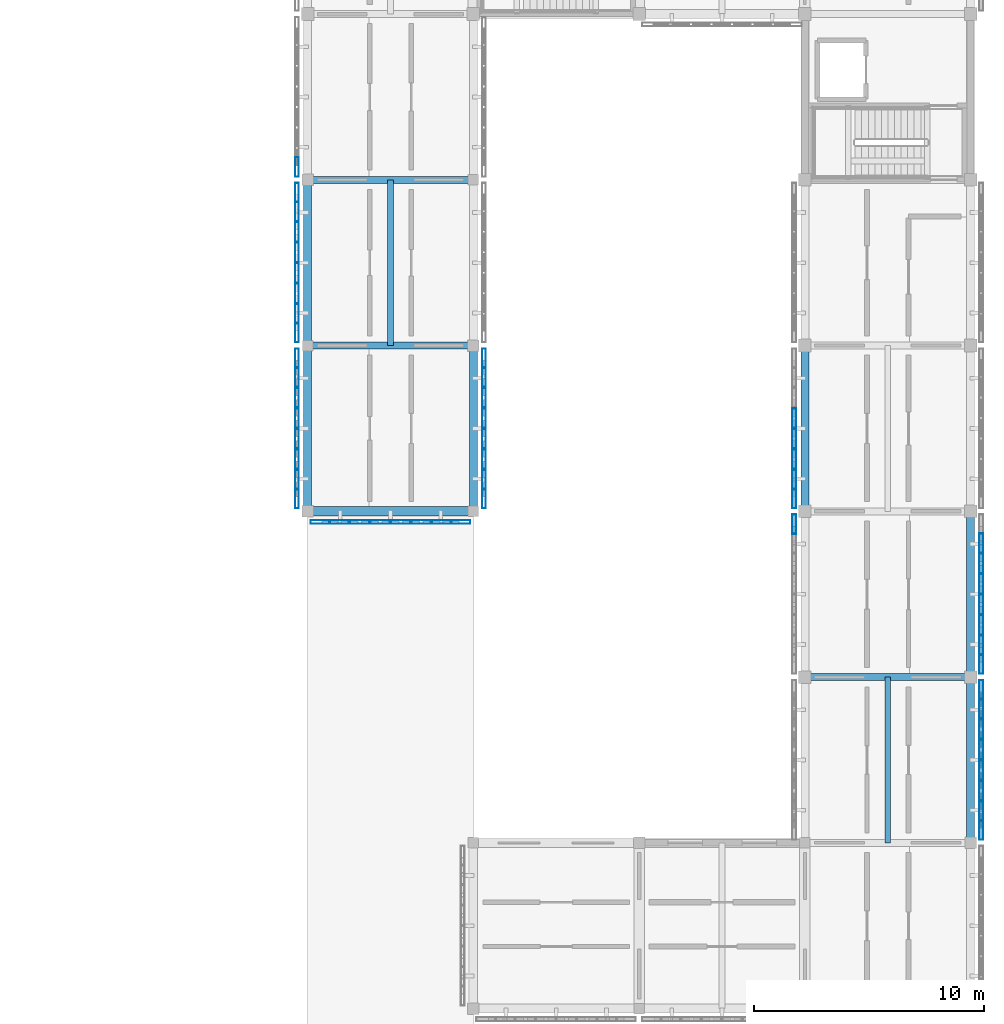
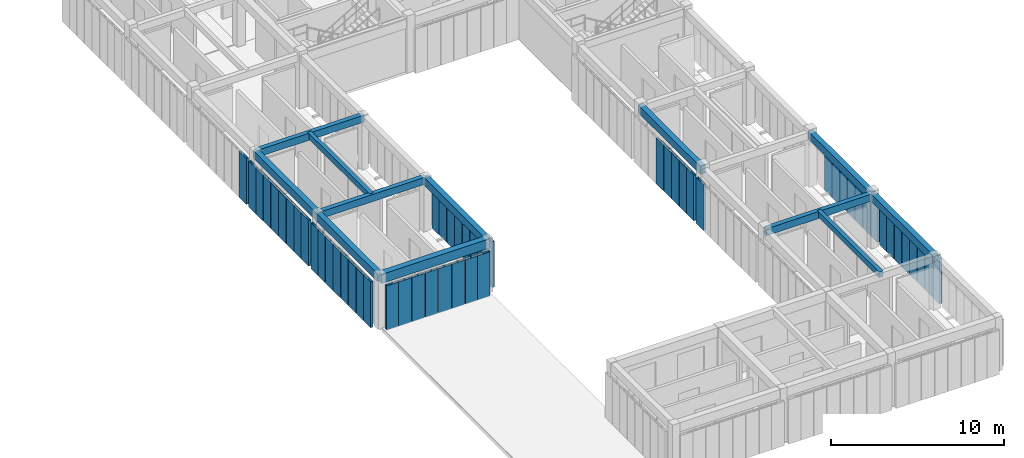
# One storey, part 10 of 67: 54 members, 12 beams, 9 elements without a shape of their own.
"""IFC4 building model written with IfcOpenShell, lengths in metres."""

from ifc_helpers import new_model, si_unit, direction, frame, origin, origin_2d, place, context, subcontext, project, spatial, rectangle, hollow_rectangle, extrude, material, material_profile, profile_set, type_object, element, aggregate, save


model = new_model("IFC4")

# Units and contexts
model_context = context("Model", 3, precision=1e-05, world=origin(), true_north=direction((0.0, 1.0)))
body_context = subcontext(model_context, "Body", "Model", "MODEL_VIEW")
ifc_project = project(units=[si_unit("LENGTHUNIT", "METRE"), si_unit("AREAUNIT", "SQUARE_METRE"), si_unit("VOLUMEUNIT", "CUBIC_METRE"), si_unit("PLANEANGLEUNIT", "RADIAN"), si_unit("MASSUNIT", "GRAM", prefix="KILO")], contexts=[model_context])

# Site, building, storey
site_placement = place(None, origin())
site = spatial("IfcSite", under=ifc_project, at=site_placement, CompositionType="ELEMENT")
building_placement = place(site_placement, origin())
building = spatial("IfcBuilding", under=site, at=building_placement, Name="Aldebral Square Health Centre", CompositionType="ELEMENT")
storey_placement = place(building_placement, frame((0.0, 0.0, 13.5)))
storey = spatial("IfcBuildingStorey", under=building, at=storey_placement, Name="L03", CompositionType="ELEMENT", Elevation=13.5)

# Beams
ifc_material_1 = material(Name="Concrete C40/50", Category="concrete")
ifc_material_profile_1 = material_profile(ifc_material_1, rectangle(XDim=0.39990234375, YDim=0.64990234375, at=origin_2d()), Name="RC 400x650")
ifc_profile_set_1 = profile_set([ifc_material_profile_1], Name="Concrete C40/50")
beam_type_1 = type_object("IfcBeamType", Name="BM-B1", PredefinedType="BEAM", material=ifc_profile_set_1)
beam_1_placement = place(storey_placement, frame((136.800048828125, 79.199951171875, 3.465087890625), z_axis=(1.0, 0.0, 0.0), x_axis=(0.0, 1.0, 0.0)))
element("IfcBeam", 1, at=beam_1_placement, inside=storey, type_object=beam_type_1, Name="L03 X-beam 20-21/G12", PredefinedType="BEAM", context=body_context, shape_type="SweptSolid", body=[
    extrude(rectangle(XDim=0.39990234375, YDim=0.64990234375, at=origin_2d()), origin(), (0.0, 0.0, 1.0), 7.199951171875),
])
ifc_material_profile_2 = material_profile(ifc_material_1, rectangle(XDim=0.35009765625, YDim=0.550048828125, at=origin_2d()), Name="RC 350x550")
ifc_profile_set_2 = profile_set([ifc_material_profile_2], Name="Concrete C40/50")
beam_type_2 = type_object("IfcBeamType", Name="BM-B3", PredefinedType="BEAM", material=ifc_profile_set_2)
beam_2_placement = place(storey_placement, frame((136.800048828125, 79.199951171875, 3.514892578125), z_axis=(0.0, 1.0, 0.0), x_axis=(-1.0, 0.0, 0.0)))
element("IfcBeam", 2, at=beam_2_placement, inside=storey, type_object=beam_type_2, Name="L03 Y-beam G20/12-13", PredefinedType="BEAM", context=body_context, shape_type="SweptSolid", body=[
    extrude(rectangle(XDim=0.35009765625, YDim=0.550048828125, at=origin_2d()), origin(), (0.0, 0.0, 1.0), 7.199951171875),
])
beam_3_placement = place(storey_placement, frame((136.800048828125, 86.39990234375, 3.514892578125), z_axis=(0.0, 1.0, 0.0), x_axis=(-1.0, 0.0, 0.0)))
element("IfcBeam", 3, at=beam_3_placement, inside=storey, type_object=beam_type_2, Name="L03 Y-beam G20/13-14", PredefinedType="BEAM", context=body_context, shape_type="SweptSolid", body=[
    extrude(rectangle(XDim=0.35009765625, YDim=0.550048828125, at=origin_2d()), origin(), (0.0, 0.0, 1.0), 7.2001953125),
])
for number, where, z_axis, x_axis, name in (
    (4, (144.0, 79.199951171875, 3.514892578125), (0.0, 1.0, 0.0), (-1.0, 0.0, 0.0), "L03 Y-beam G21/12-13"),
    (5, (158.39990234375, 79.199951171875, 3.514892578125), (0.0, 1.0, 0.0), (-1.0, 0.0, 0.0), "L03 Y-beam G23/12-13"),
    (6, (165.60009765625, 64.800048828125, 3.514892578125), (0.0, 1.0, 0.0), (-1.0, 0.0, 0.0), "L03 Y-beam G24/10-11"),
    (7, (165.60009765625, 72.0, 3.514892578125), (0.0, 1.0, 0.0), (-1.0, 0.0, 0.0), "L03 Y-beam G24/11-12"),
):
    element("IfcBeam", number, at=place(storey_placement, frame(where, z_axis=z_axis, x_axis=x_axis)), inside=storey, type_object=beam_type_2, Name=name, PredefinedType="BEAM", context=body_context, shape_type="SweptSolid", body=[
        extrude(rectangle(XDim=0.35009765625, YDim=0.550048828125, at=origin_2d()), origin(), (0.0, 0.0, 1.0), 7.199951171875),
    ])
ifc_material_profile_3 = material_profile(ifc_material_1, rectangle(XDim=0.300048828125, YDim=0.5, at=origin_2d()), Name="RC 300x500")
ifc_profile_set_3 = profile_set([ifc_material_profile_3], Name="Concrete C40/50")
beam_type_3 = type_object("IfcBeamType", Name="BM-B4", PredefinedType="BEAM", material=ifc_profile_set_3)
for number, where, z_axis, x_axis, name in (
    (8, (136.800048828125, 86.39990234375, 3.5400390625), (1.0, 0.0, 0.0), (0.0, 1.0, 0.0), "L03 X-beam 20-21/G13"),
    (9, (136.800048828125, 93.60009765625, 3.5400390625), (1.0, 0.0, 0.0), (0.0, 1.0, 0.0), "L03 X-beam 20-21/G14"),
):
    element("IfcBeam", number, at=place(storey_placement, frame(where, z_axis=z_axis, x_axis=x_axis)), inside=storey, type_object=beam_type_3, Name=name, PredefinedType="BEAM", context=body_context, shape_type="SweptSolid", body=[
        extrude(rectangle(XDim=0.300048828125, YDim=0.5, at=origin_2d()), origin(), (0.0, 0.0, 1.0), 7.199951171875),
    ])
beam_4_placement = place(storey_placement, frame((158.39990234375, 72.0, 3.5400390625), z_axis=(1.0, 0.0, 0.0), x_axis=(0.0, 1.0, 0.0)))
element("IfcBeam", 10, at=beam_4_placement, inside=storey, type_object=beam_type_3, Name="L03 X-beam 23-24/G11", PredefinedType="BEAM", context=body_context, shape_type="SweptSolid", body=[
    extrude(rectangle(XDim=0.300048828125, YDim=0.5, at=origin_2d()), origin(), (0.0, 0.0, 1.0), 7.2001953125),
])
ifc_material_profile_4 = material_profile(ifc_material_1, rectangle(XDim=0.25, YDim=0.39990234375, at=origin_2d()), Name="RC 250x400")
ifc_profile_set_4 = profile_set([ifc_material_profile_4], Name="Concrete C40/50")
beam_type_4 = type_object("IfcBeamType", Name="BM-B6", PredefinedType="JOIST", material=ifc_profile_set_4)
beam_5_placement = place(storey_placement, frame((140.39990234375, 86.39990234375, 3.590087890625), z_axis=(0.0, 1.0, 0.0), x_axis=(-1.0, 0.0, 0.0)))
element("IfcBeam", 11, at=beam_5_placement, inside=storey, type_object=beam_type_4, Name="L03 secondary rib 20.13", PredefinedType="JOIST", context=body_context, shape_type="SweptSolid", body=[
    extrude(rectangle(XDim=0.25, YDim=0.39990234375, at=origin_2d()), origin(), (0.0, 0.0, 1.0), 7.2001953125),
])
beam_6_placement = place(storey_placement, frame((162.0, 64.800048828125, 3.590087890625), z_axis=(0.0, 1.0, 0.0), x_axis=(-1.0, 0.0, 0.0)))
element("IfcBeam", 12, at=beam_6_placement, inside=storey, type_object=beam_type_4, Name="L03 secondary rib 23.10", PredefinedType="JOIST", context=body_context, shape_type="SweptSolid", body=[
    extrude(rectangle(XDim=0.25, YDim=0.39990234375, at=origin_2d()), origin(), (0.0, 0.0, 1.0), 7.199951171875),
])

# Curtain wall, members
ifc_material_2 = material(Name="Aluminium and low-E solar glass", Category="aluminium")
curtain_wall_type = type_object("IfcCurtainWallType", Name="CW-FIN-SYS", PredefinedType="USERDEFINED", material=ifc_material_2)
curtain_wall_1_placement = place(storey_placement, origin())
curtain_wall_1 = element("IfcCurtainWall", 13, at=curtain_wall_1_placement, inside=storey, type_object=curtain_wall_type, Name="L03 V5 finned curtain wall L03-V5-19-11-S", ObjectType="SOLAR_CURTAIN_WALL", PredefinedType="USERDEFINED")
ifc_material_3 = material(Name="Sienna-terracotta clad aluminium fin", Category="masonry")
ifc_material_profile_5 = material_profile(ifc_material_3, hollow_rectangle(XDim=0.159912109375, YDim=0.85009765625, WallThickness=0.006103515625, at=origin_2d()), Name="FIN 160x850x6")
ifc_profile_set_5 = profile_set([ifc_material_profile_5], Name="Sienna-terracotta clad aluminium fin")
member_type = type_object("IfcMemberType", Name="CWM-FIN", PredefinedType="MULLION", material=ifc_profile_set_5)
member_1_placement = place(storey_placement, frame((137.360107421875, 78.739990234375, 0.0), z_axis=(0.0, 0.0, 1.0), x_axis=(0.0, 1.0, 0.0)))
member_1 = element("IfcMember", 14, at=member_1_placement, type_object=member_type, Name="CW1 mullion 1", PredefinedType="MULLION", context=body_context, shape_type="SweptSolid", body=[
    extrude(hollow_rectangle(XDim=0.159912109375, YDim=0.85009765625, WallThickness=0.006103515625, at=origin_2d()), origin(), (0.0, 0.0, 1.0), 3.139892578125),
])
member_2_placement = place(storey_placement, frame((138.17138671875, 78.739990234375, 0.0), z_axis=(0.0, 0.0, 1.0), x_axis=(0.0, 1.0, 0.0)))
member_2 = element("IfcMember", 15, at=member_2_placement, type_object=member_type, Name="CW1 mullion 2", PredefinedType="MULLION", context=body_context, shape_type="SweptSolid", body=[
    extrude(hollow_rectangle(XDim=0.159912109375, YDim=0.85009765625, WallThickness=0.006103515625, at=origin_2d()), origin(), (0.0, 0.0, 1.0), 3.139892578125),
])
member_3_placement = place(storey_placement, frame((139.062744140625, 78.739990234375, 0.0), z_axis=(0.0, 0.0, 1.0), x_axis=(0.0, 1.0, 0.0)))
member_3 = element("IfcMember", 16, at=member_3_placement, type_object=member_type, Name="CW1 mullion 3", PredefinedType="MULLION", context=body_context, shape_type="SweptSolid", body=[
    extrude(hollow_rectangle(XDim=0.159912109375, YDim=0.85009765625, WallThickness=0.006103515625, at=origin_2d()), origin(), (0.0, 0.0, 1.0), 3.139892578125),
])
member_4_placement = place(storey_placement, frame((139.954345703125, 78.739990234375, 0.0), z_axis=(0.0, 0.0, 1.0), x_axis=(0.0, 1.0, 0.0)))
member_4 = element("IfcMember", 17, at=member_4_placement, type_object=member_type, Name="CW1 mullion 4", PredefinedType="MULLION", context=body_context, shape_type="SweptSolid", body=[
    extrude(hollow_rectangle(XDim=0.159912109375, YDim=0.85009765625, WallThickness=0.006103515625, at=origin_2d()), origin(), (0.0, 0.0, 1.0), 3.139892578125),
])
member_5_placement = place(storey_placement, frame((140.845703125, 78.739990234375, 0.0), z_axis=(0.0, 0.0, 1.0), x_axis=(0.0, 1.0, 0.0)))
member_5 = element("IfcMember", 18, at=member_5_placement, type_object=member_type, Name="CW1 mullion 5", PredefinedType="MULLION", context=body_context, shape_type="SweptSolid", body=[
    extrude(hollow_rectangle(XDim=0.159912109375, YDim=0.85009765625, WallThickness=0.006103515625, at=origin_2d()), origin(), (0.0, 0.0, 1.0), 3.139892578125),
])
member_6_placement = place(storey_placement, frame((141.737060546875, 78.739990234375, 0.0), z_axis=(0.0, 0.0, 1.0), x_axis=(0.0, 1.0, 0.0)))
member_6 = element("IfcMember", 19, at=member_6_placement, type_object=member_type, Name="CW1 mullion 6", PredefinedType="MULLION", context=body_context, shape_type="SweptSolid", body=[
    extrude(hollow_rectangle(XDim=0.159912109375, YDim=0.85009765625, WallThickness=0.006103515625, at=origin_2d()), origin(), (0.0, 0.0, 1.0), 3.139892578125),
])
member_7_placement = place(storey_placement, frame((142.628662109375, 78.739990234375, 0.0), z_axis=(0.0, 0.0, 1.0), x_axis=(0.0, 1.0, 0.0)))
member_7 = element("IfcMember", 20, at=member_7_placement, type_object=member_type, Name="CW1 mullion 7", PredefinedType="MULLION", context=body_context, shape_type="SweptSolid", body=[
    extrude(hollow_rectangle(XDim=0.159912109375, YDim=0.85009765625, WallThickness=0.006103515625, at=origin_2d()), origin(), (0.0, 0.0, 1.0), 3.139892578125),
])
member_8_placement = place(storey_placement, frame((143.43994140625, 78.739990234375, 0.0), z_axis=(0.0, 0.0, 1.0), x_axis=(0.0, 1.0, 0.0)))
member_8 = element("IfcMember", 21, at=member_8_placement, type_object=member_type, Name="CW1 mullion 8", PredefinedType="MULLION", context=body_context, shape_type="SweptSolid", body=[
    extrude(hollow_rectangle(XDim=0.159912109375, YDim=0.85009765625, WallThickness=0.006103515625, at=origin_2d()), origin(), (0.0, 0.0, 1.0), 3.139892578125),
])
aggregate(curtain_wall_1, [member_1, member_2, member_3, member_4, member_5, member_6, member_7, member_8])

curtain_wall_2_placement = place(storey_placement, origin())
curtain_wall_2 = element("IfcCurtainWall", 22, at=curtain_wall_2_placement, inside=storey, type_object=curtain_wall_type, Name="L03 V5 finned curtain wall L03-V5-19-11-W", ObjectType="SOLAR_CURTAIN_WALL", PredefinedType="USERDEFINED")
member_9_placement = place(storey_placement, frame((136.340087890625, 85.840087890625, 0.0), z_axis=(0.0, 0.0, 1.0), x_axis=(1.0, 0.0, 0.0)))
member_9 = element("IfcMember", 23, at=member_9_placement, type_object=member_type, Name="CW1 mullion 1", PredefinedType="MULLION", context=body_context, shape_type="SweptSolid", body=[
    extrude(hollow_rectangle(XDim=0.159912109375, YDim=0.85009765625, WallThickness=0.006103515625, at=origin_2d()), origin(), (0.0, 0.0, 1.0), 3.239990234375),
])
member_10_placement = place(storey_placement, frame((136.340087890625, 85.028564453125, 0.0), z_axis=(0.0, 0.0, 1.0), x_axis=(1.0, 0.0, 0.0)))
member_10 = element("IfcMember", 24, at=member_10_placement, type_object=member_type, Name="CW1 mullion 2", PredefinedType="MULLION", context=body_context, shape_type="SweptSolid", body=[
    extrude(hollow_rectangle(XDim=0.159912109375, YDim=0.85009765625, WallThickness=0.006103515625, at=origin_2d()), origin(), (0.0, 0.0, 1.0), 3.239990234375),
])
member_11_placement = place(storey_placement, frame((136.340087890625, 84.13720703125, 0.0), z_axis=(0.0, 0.0, 1.0), x_axis=(1.0, 0.0, 0.0)))
member_11 = element("IfcMember", 25, at=member_11_placement, type_object=member_type, Name="CW1 mullion 3", PredefinedType="MULLION", context=body_context, shape_type="SweptSolid", body=[
    extrude(hollow_rectangle(XDim=0.159912109375, YDim=0.85009765625, WallThickness=0.006103515625, at=origin_2d()), origin(), (0.0, 0.0, 1.0), 3.239990234375),
])
member_12_placement = place(storey_placement, frame((136.340087890625, 83.24560546875, 0.0), z_axis=(0.0, 0.0, 1.0), x_axis=(1.0, 0.0, 0.0)))
member_12 = element("IfcMember", 26, at=member_12_placement, type_object=member_type, Name="CW1 mullion 4", PredefinedType="MULLION", context=body_context, shape_type="SweptSolid", body=[
    extrude(hollow_rectangle(XDim=0.159912109375, YDim=0.85009765625, WallThickness=0.006103515625, at=origin_2d()), origin(), (0.0, 0.0, 1.0), 3.239990234375),
])
member_13_placement = place(storey_placement, frame((136.340087890625, 82.354248046875, 0.0), z_axis=(0.0, 0.0, 1.0), x_axis=(1.0, 0.0, 0.0)))
member_13 = element("IfcMember", 27, at=member_13_placement, type_object=member_type, Name="CW1 mullion 5", PredefinedType="MULLION", context=body_context, shape_type="SweptSolid", body=[
    extrude(hollow_rectangle(XDim=0.159912109375, YDim=0.85009765625, WallThickness=0.006103515625, at=origin_2d()), origin(), (0.0, 0.0, 1.0), 3.239990234375),
])
member_14_placement = place(storey_placement, frame((136.340087890625, 81.462890625, 0.0), z_axis=(0.0, 0.0, 1.0), x_axis=(1.0, 0.0, 0.0)))
member_14 = element("IfcMember", 28, at=member_14_placement, type_object=member_type, Name="CW1 mullion 6", PredefinedType="MULLION", context=body_context, shape_type="SweptSolid", body=[
    extrude(hollow_rectangle(XDim=0.159912109375, YDim=0.85009765625, WallThickness=0.006103515625, at=origin_2d()), origin(), (0.0, 0.0, 1.0), 3.239990234375),
])
member_15_placement = place(storey_placement, frame((136.340087890625, 80.571533203125, 0.0), z_axis=(0.0, 0.0, 1.0), x_axis=(1.0, 0.0, 0.0)))
member_15 = element("IfcMember", 29, at=member_15_placement, type_object=member_type, Name="CW1 mullion 7", PredefinedType="MULLION", context=body_context, shape_type="SweptSolid", body=[
    extrude(hollow_rectangle(XDim=0.159912109375, YDim=0.85009765625, WallThickness=0.006103515625, at=origin_2d()), origin(), (0.0, 0.0, 1.0), 3.239990234375),
])
member_16_placement = place(storey_placement, frame((136.340087890625, 79.760009765625, 0.0), z_axis=(0.0, 0.0, 1.0), x_axis=(1.0, 0.0, 0.0)))
member_16 = element("IfcMember", 30, at=member_16_placement, type_object=member_type, Name="CW1 mullion 8", PredefinedType="MULLION", context=body_context, shape_type="SweptSolid", body=[
    extrude(hollow_rectangle(XDim=0.159912109375, YDim=0.85009765625, WallThickness=0.006103515625, at=origin_2d()), origin(), (0.0, 0.0, 1.0), 3.239990234375),
])
aggregate(curtain_wall_2, [member_9, member_10, member_11, member_12, member_13, member_14, member_15, member_16])

curtain_wall_3_placement = place(storey_placement, origin())
curtain_wall_3 = element("IfcCurtainWall", 31, at=curtain_wall_3_placement, inside=storey, type_object=curtain_wall_type, Name="L03 V5 finned curtain wall L03-V5-19-11-E", ObjectType="SOLAR_CURTAIN_WALL", PredefinedType="USERDEFINED")
member_17_placement = place(storey_placement, frame((144.4599609375, 79.760009765625, 0.0), z_axis=(0.0, 0.0, 1.0), x_axis=(-1.0, 0.0, 0.0)))
member_17 = element("IfcMember", 32, at=member_17_placement, type_object=member_type, Name="CW1 mullion 1", PredefinedType="MULLION", context=body_context, shape_type="SweptSolid", body=[
    extrude(hollow_rectangle(XDim=0.159912109375, YDim=0.85009765625, WallThickness=0.006103515625, at=origin_2d()), origin(), (0.0, 0.0, 1.0), 3.239990234375),
])
member_18_placement = place(storey_placement, frame((144.4599609375, 80.571533203125, 0.0), z_axis=(0.0, 0.0, 1.0), x_axis=(-1.0, 0.0, 0.0)))
member_18 = element("IfcMember", 33, at=member_18_placement, type_object=member_type, Name="CW1 mullion 2", PredefinedType="MULLION", context=body_context, shape_type="SweptSolid", body=[
    extrude(hollow_rectangle(XDim=0.159912109375, YDim=0.85009765625, WallThickness=0.006103515625, at=origin_2d()), origin(), (0.0, 0.0, 1.0), 3.239990234375),
])
member_19_placement = place(storey_placement, frame((144.4599609375, 81.462890625, 0.0), z_axis=(0.0, 0.0, 1.0), x_axis=(-1.0, 0.0, 0.0)))
member_19 = element("IfcMember", 34, at=member_19_placement, type_object=member_type, Name="CW1 mullion 3", PredefinedType="MULLION", context=body_context, shape_type="SweptSolid", body=[
    extrude(hollow_rectangle(XDim=0.159912109375, YDim=0.85009765625, WallThickness=0.006103515625, at=origin_2d()), origin(), (0.0, 0.0, 1.0), 3.239990234375),
])
member_20_placement = place(storey_placement, frame((144.4599609375, 82.354248046875, 0.0), z_axis=(0.0, 0.0, 1.0), x_axis=(-1.0, 0.0, 0.0)))
member_20 = element("IfcMember", 35, at=member_20_placement, type_object=member_type, Name="CW1 mullion 4", PredefinedType="MULLION", context=body_context, shape_type="SweptSolid", body=[
    extrude(hollow_rectangle(XDim=0.159912109375, YDim=0.85009765625, WallThickness=0.006103515625, at=origin_2d()), origin(), (0.0, 0.0, 1.0), 3.239990234375),
])
member_21_placement = place(storey_placement, frame((144.4599609375, 83.24560546875, 0.0), z_axis=(0.0, 0.0, 1.0), x_axis=(-1.0, 0.0, 0.0)))
member_21 = element("IfcMember", 36, at=member_21_placement, type_object=member_type, Name="CW1 mullion 5", PredefinedType="MULLION", context=body_context, shape_type="SweptSolid", body=[
    extrude(hollow_rectangle(XDim=0.159912109375, YDim=0.85009765625, WallThickness=0.006103515625, at=origin_2d()), origin(), (0.0, 0.0, 1.0), 3.239990234375),
])
member_22_placement = place(storey_placement, frame((144.4599609375, 84.13720703125, 0.0), z_axis=(0.0, 0.0, 1.0), x_axis=(-1.0, 0.0, 0.0)))
member_22 = element("IfcMember", 37, at=member_22_placement, type_object=member_type, Name="CW1 mullion 6", PredefinedType="MULLION", context=body_context, shape_type="SweptSolid", body=[
    extrude(hollow_rectangle(XDim=0.159912109375, YDim=0.85009765625, WallThickness=0.006103515625, at=origin_2d()), origin(), (0.0, 0.0, 1.0), 3.239990234375),
])
member_23_placement = place(storey_placement, frame((144.4599609375, 85.028564453125, 0.0), z_axis=(0.0, 0.0, 1.0), x_axis=(-1.0, 0.0, 0.0)))
member_23 = element("IfcMember", 38, at=member_23_placement, type_object=member_type, Name="CW1 mullion 7", PredefinedType="MULLION", context=body_context, shape_type="SweptSolid", body=[
    extrude(hollow_rectangle(XDim=0.159912109375, YDim=0.85009765625, WallThickness=0.006103515625, at=origin_2d()), origin(), (0.0, 0.0, 1.0), 3.239990234375),
])
member_24_placement = place(storey_placement, frame((144.4599609375, 85.840087890625, 0.0), z_axis=(0.0, 0.0, 1.0), x_axis=(-1.0, 0.0, 0.0)))
member_24 = element("IfcMember", 39, at=member_24_placement, type_object=member_type, Name="CW1 mullion 8", PredefinedType="MULLION", context=body_context, shape_type="SweptSolid", body=[
    extrude(hollow_rectangle(XDim=0.159912109375, YDim=0.85009765625, WallThickness=0.006103515625, at=origin_2d()), origin(), (0.0, 0.0, 1.0), 3.239990234375),
])
aggregate(curtain_wall_3, [member_17, member_18, member_19, member_20, member_21, member_22, member_23, member_24])

curtain_wall_4_placement = place(storey_placement, origin())
curtain_wall_4 = element("IfcCurtainWall", 40, at=curtain_wall_4_placement, inside=storey, type_object=curtain_wall_type, Name="L03 V5 finned curtain wall L03-V5-19-12-W", ObjectType="SOLAR_CURTAIN_WALL", PredefinedType="USERDEFINED")
member_25_placement = place(storey_placement, frame((136.340087890625, 93.0400390625, 0.0), z_axis=(0.0, 0.0, 1.0), x_axis=(1.0, 0.0, 0.0)))
member_25 = element("IfcMember", 41, at=member_25_placement, type_object=member_type, Name="CW1 mullion 1", PredefinedType="MULLION", context=body_context, shape_type="SweptSolid", body=[
    extrude(hollow_rectangle(XDim=0.159912109375, YDim=0.85009765625, WallThickness=0.006103515625, at=origin_2d()), origin(), (0.0, 0.0, 1.0), 3.239990234375),
])
member_26_placement = place(storey_placement, frame((136.340087890625, 92.228515625, 0.0), z_axis=(0.0, 0.0, 1.0), x_axis=(1.0, 0.0, 0.0)))
member_26 = element("IfcMember", 42, at=member_26_placement, type_object=member_type, Name="CW1 mullion 2", PredefinedType="MULLION", context=body_context, shape_type="SweptSolid", body=[
    extrude(hollow_rectangle(XDim=0.159912109375, YDim=0.85009765625, WallThickness=0.006103515625, at=origin_2d()), origin(), (0.0, 0.0, 1.0), 3.239990234375),
])
member_27_placement = place(storey_placement, frame((136.340087890625, 91.337158203125, 0.0), z_axis=(0.0, 0.0, 1.0), x_axis=(1.0, 0.0, 0.0)))
member_27 = element("IfcMember", 43, at=member_27_placement, type_object=member_type, Name="CW1 mullion 3", PredefinedType="MULLION", context=body_context, shape_type="SweptSolid", body=[
    extrude(hollow_rectangle(XDim=0.159912109375, YDim=0.85009765625, WallThickness=0.006103515625, at=origin_2d()), origin(), (0.0, 0.0, 1.0), 3.239990234375),
])
member_28_placement = place(storey_placement, frame((136.340087890625, 90.44580078125, 0.0), z_axis=(0.0, 0.0, 1.0), x_axis=(1.0, 0.0, 0.0)))
member_28 = element("IfcMember", 44, at=member_28_placement, type_object=member_type, Name="CW1 mullion 4", PredefinedType="MULLION", context=body_context, shape_type="SweptSolid", body=[
    extrude(hollow_rectangle(XDim=0.159912109375, YDim=0.85009765625, WallThickness=0.006103515625, at=origin_2d()), origin(), (0.0, 0.0, 1.0), 3.239990234375),
])
member_29_placement = place(storey_placement, frame((136.340087890625, 89.55419921875, 0.0), z_axis=(0.0, 0.0, 1.0), x_axis=(1.0, 0.0, 0.0)))
member_29 = element("IfcMember", 45, at=member_29_placement, type_object=member_type, Name="CW1 mullion 5", PredefinedType="MULLION", context=body_context, shape_type="SweptSolid", body=[
    extrude(hollow_rectangle(XDim=0.159912109375, YDim=0.85009765625, WallThickness=0.006103515625, at=origin_2d()), origin(), (0.0, 0.0, 1.0), 3.239990234375),
])
member_30_placement = place(storey_placement, frame((136.340087890625, 88.662841796875, 0.0), z_axis=(0.0, 0.0, 1.0), x_axis=(1.0, 0.0, 0.0)))
member_30 = element("IfcMember", 46, at=member_30_placement, type_object=member_type, Name="CW1 mullion 6", PredefinedType="MULLION", context=body_context, shape_type="SweptSolid", body=[
    extrude(hollow_rectangle(XDim=0.159912109375, YDim=0.85009765625, WallThickness=0.006103515625, at=origin_2d()), origin(), (0.0, 0.0, 1.0), 3.239990234375),
])
member_31_placement = place(storey_placement, frame((136.340087890625, 87.771484375, 0.0), z_axis=(0.0, 0.0, 1.0), x_axis=(1.0, 0.0, 0.0)))
member_31 = element("IfcMember", 47, at=member_31_placement, type_object=member_type, Name="CW1 mullion 7", PredefinedType="MULLION", context=body_context, shape_type="SweptSolid", body=[
    extrude(hollow_rectangle(XDim=0.159912109375, YDim=0.85009765625, WallThickness=0.006103515625, at=origin_2d()), origin(), (0.0, 0.0, 1.0), 3.239990234375),
])
member_32_placement = place(storey_placement, frame((136.340087890625, 86.9599609375, 0.0), z_axis=(0.0, 0.0, 1.0), x_axis=(1.0, 0.0, 0.0)))
member_32 = element("IfcMember", 48, at=member_32_placement, type_object=member_type, Name="CW1 mullion 8", PredefinedType="MULLION", context=body_context, shape_type="SweptSolid", body=[
    extrude(hollow_rectangle(XDim=0.159912109375, YDim=0.85009765625, WallThickness=0.006103515625, at=origin_2d()), origin(), (0.0, 0.0, 1.0), 3.239990234375),
])
aggregate(curtain_wall_4, [member_25, member_26, member_27, member_28, member_29, member_30, member_31, member_32])

# Curtain wall, member
curtain_wall_5_placement = place(storey_placement, origin())
curtain_wall_5 = element("IfcCurtainWall", 49, at=curtain_wall_5_placement, inside=storey, type_object=curtain_wall_type, Name="L03 V5 finned curtain wall L03-V5-19-13-W", ObjectType="SOLAR_CURTAIN_WALL", PredefinedType="USERDEFINED")
member_33_placement = place(storey_placement, frame((136.340087890625, 94.159912109375, 0.0), z_axis=(0.0, 0.0, 1.0), x_axis=(1.0, 0.0, 0.0)))
member_33 = element("IfcMember", 50, at=member_33_placement, type_object=member_type, Name="CW1 mullion 8", PredefinedType="MULLION", context=body_context, shape_type="SweptSolid", body=[
    extrude(hollow_rectangle(XDim=0.159912109375, YDim=0.85009765625, WallThickness=0.006103515625, at=origin_2d()), origin(), (0.0, 0.0, 1.0), 3.239990234375),
])
aggregate(curtain_wall_5, [member_33])

# Curtain wall, members
curtain_wall_6_placement = place(storey_placement, origin())
curtain_wall_6 = element("IfcCurtainWall", 51, at=curtain_wall_6_placement, inside=storey, type_object=curtain_wall_type, Name="L03 V5 finned curtain wall L03-V5-22-09-E", ObjectType="SOLAR_CURTAIN_WALL", PredefinedType="USERDEFINED")
member_34_placement = place(storey_placement, frame((166.06005859375, 65.360107421875, 0.0), z_axis=(0.0, 0.0, 1.0), x_axis=(-1.0, 0.0, 0.0)))
member_34 = element("IfcMember", 52, at=member_34_placement, type_object=member_type, Name="CW1 mullion 1", PredefinedType="MULLION", context=body_context, shape_type="SweptSolid", body=[
    extrude(hollow_rectangle(XDim=0.159912109375, YDim=0.85009765625, WallThickness=0.006103515625, at=origin_2d()), origin(), (0.0, 0.0, 1.0), 3.239990234375),
])
member_35_placement = place(storey_placement, frame((166.06005859375, 66.17138671875, 0.0), z_axis=(0.0, 0.0, 1.0), x_axis=(-1.0, 0.0, 0.0)))
member_35 = element("IfcMember", 53, at=member_35_placement, type_object=member_type, Name="CW1 mullion 2", PredefinedType="MULLION", context=body_context, shape_type="SweptSolid", body=[
    extrude(hollow_rectangle(XDim=0.159912109375, YDim=0.85009765625, WallThickness=0.006103515625, at=origin_2d()), origin(), (0.0, 0.0, 1.0), 3.239990234375),
])
member_36_placement = place(storey_placement, frame((166.06005859375, 67.062744140625, 0.0), z_axis=(0.0, 0.0, 1.0), x_axis=(-1.0, 0.0, 0.0)))
member_36 = element("IfcMember", 54, at=member_36_placement, type_object=member_type, Name="CW1 mullion 3", PredefinedType="MULLION", context=body_context, shape_type="SweptSolid", body=[
    extrude(hollow_rectangle(XDim=0.159912109375, YDim=0.85009765625, WallThickness=0.006103515625, at=origin_2d()), origin(), (0.0, 0.0, 1.0), 3.239990234375),
])
member_37_placement = place(storey_placement, frame((166.06005859375, 67.954345703125, 0.0), z_axis=(0.0, 0.0, 1.0), x_axis=(-1.0, 0.0, 0.0)))
member_37 = element("IfcMember", 55, at=member_37_placement, type_object=member_type, Name="CW1 mullion 4", PredefinedType="MULLION", context=body_context, shape_type="SweptSolid", body=[
    extrude(hollow_rectangle(XDim=0.159912109375, YDim=0.85009765625, WallThickness=0.006103515625, at=origin_2d()), origin(), (0.0, 0.0, 1.0), 3.239990234375),
])
member_38_placement = place(storey_placement, frame((166.06005859375, 68.845703125, 0.0), z_axis=(0.0, 0.0, 1.0), x_axis=(-1.0, 0.0, 0.0)))
member_38 = element("IfcMember", 56, at=member_38_placement, type_object=member_type, Name="CW1 mullion 5", PredefinedType="MULLION", context=body_context, shape_type="SweptSolid", body=[
    extrude(hollow_rectangle(XDim=0.159912109375, YDim=0.85009765625, WallThickness=0.006103515625, at=origin_2d()), origin(), (0.0, 0.0, 1.0), 3.239990234375),
])
member_39_placement = place(storey_placement, frame((166.06005859375, 69.737060546875, 0.0), z_axis=(0.0, 0.0, 1.0), x_axis=(-1.0, 0.0, 0.0)))
member_39 = element("IfcMember", 57, at=member_39_placement, type_object=member_type, Name="CW1 mullion 6", PredefinedType="MULLION", context=body_context, shape_type="SweptSolid", body=[
    extrude(hollow_rectangle(XDim=0.159912109375, YDim=0.85009765625, WallThickness=0.006103515625, at=origin_2d()), origin(), (0.0, 0.0, 1.0), 3.239990234375),
])
member_40_placement = place(storey_placement, frame((166.06005859375, 70.628662109375, 0.0), z_axis=(0.0, 0.0, 1.0), x_axis=(-1.0, 0.0, 0.0)))
member_40 = element("IfcMember", 58, at=member_40_placement, type_object=member_type, Name="CW1 mullion 7", PredefinedType="MULLION", context=body_context, shape_type="SweptSolid", body=[
    extrude(hollow_rectangle(XDim=0.159912109375, YDim=0.85009765625, WallThickness=0.006103515625, at=origin_2d()), origin(), (0.0, 0.0, 1.0), 3.239990234375),
])
member_41_placement = place(storey_placement, frame((166.06005859375, 71.43994140625, 0.0), z_axis=(0.0, 0.0, 1.0), x_axis=(-1.0, 0.0, 0.0)))
member_41 = element("IfcMember", 59, at=member_41_placement, type_object=member_type, Name="CW1 mullion 8", PredefinedType="MULLION", context=body_context, shape_type="SweptSolid", body=[
    extrude(hollow_rectangle(XDim=0.159912109375, YDim=0.85009765625, WallThickness=0.006103515625, at=origin_2d()), origin(), (0.0, 0.0, 1.0), 3.239990234375),
])
aggregate(curtain_wall_6, [member_34, member_35, member_36, member_37, member_38, member_39, member_40, member_41])

# Curtain wall, member
curtain_wall_7_placement = place(storey_placement, origin())
curtain_wall_7 = element("IfcCurtainWall", 60, at=curtain_wall_7_placement, inside=storey, type_object=curtain_wall_type, Name="L03 V5 finned curtain wall L03-V5-22-10-W", ObjectType="SOLAR_CURTAIN_WALL", PredefinedType="USERDEFINED")
member_42_placement = place(storey_placement, frame((157.93994140625, 78.639892578125, 0.0), z_axis=(0.0, 0.0, 1.0), x_axis=(1.0, 0.0, 0.0)))
member_42 = element("IfcMember", 61, at=member_42_placement, type_object=member_type, Name="CW1 mullion 1", PredefinedType="MULLION", context=body_context, shape_type="SweptSolid", body=[
    extrude(hollow_rectangle(XDim=0.159912109375, YDim=0.85009765625, WallThickness=0.006103515625, at=origin_2d()), origin(), (0.0, 0.0, 1.0), 3.239990234375),
])
aggregate(curtain_wall_7, [member_42])

# Curtain wall, members
curtain_wall_8_placement = place(storey_placement, origin())
curtain_wall_8 = element("IfcCurtainWall", 62, at=curtain_wall_8_placement, inside=storey, type_object=curtain_wall_type, Name="L03 V5 finned curtain wall L03-V5-22-10-E", ObjectType="SOLAR_CURTAIN_WALL", PredefinedType="USERDEFINED")
member_43_placement = place(storey_placement, frame((166.06005859375, 72.56005859375, 0.0), z_axis=(0.0, 0.0, 1.0), x_axis=(-1.0, 0.0, 0.0)))
member_43 = element("IfcMember", 63, at=member_43_placement, type_object=member_type, Name="CW1 mullion 1", PredefinedType="MULLION", context=body_context, shape_type="SweptSolid", body=[
    extrude(hollow_rectangle(XDim=0.159912109375, YDim=0.85009765625, WallThickness=0.006103515625, at=origin_2d()), origin(), (0.0, 0.0, 1.0), 3.239990234375),
])
member_44_placement = place(storey_placement, frame((166.06005859375, 73.371337890625, 0.0), z_axis=(0.0, 0.0, 1.0), x_axis=(-1.0, 0.0, 0.0)))
member_44 = element("IfcMember", 64, at=member_44_placement, type_object=member_type, Name="CW1 mullion 2", PredefinedType="MULLION", context=body_context, shape_type="SweptSolid", body=[
    extrude(hollow_rectangle(XDim=0.159912109375, YDim=0.85009765625, WallThickness=0.006103515625, at=origin_2d()), origin(), (0.0, 0.0, 1.0), 3.239990234375),
])
member_45_placement = place(storey_placement, frame((166.06005859375, 74.262939453125, 0.0), z_axis=(0.0, 0.0, 1.0), x_axis=(-1.0, 0.0, 0.0)))
member_45 = element("IfcMember", 65, at=member_45_placement, type_object=member_type, Name="CW1 mullion 3", PredefinedType="MULLION", context=body_context, shape_type="SweptSolid", body=[
    extrude(hollow_rectangle(XDim=0.159912109375, YDim=0.85009765625, WallThickness=0.006103515625, at=origin_2d()), origin(), (0.0, 0.0, 1.0), 3.239990234375),
])
member_46_placement = place(storey_placement, frame((166.06005859375, 75.154296875, 0.0), z_axis=(0.0, 0.0, 1.0), x_axis=(-1.0, 0.0, 0.0)))
member_46 = element("IfcMember", 66, at=member_46_placement, type_object=member_type, Name="CW1 mullion 4", PredefinedType="MULLION", context=body_context, shape_type="SweptSolid", body=[
    extrude(hollow_rectangle(XDim=0.159912109375, YDim=0.85009765625, WallThickness=0.006103515625, at=origin_2d()), origin(), (0.0, 0.0, 1.0), 3.239990234375),
])
member_47_placement = place(storey_placement, frame((166.06005859375, 76.045654296875, 0.0), z_axis=(0.0, 0.0, 1.0), x_axis=(-1.0, 0.0, 0.0)))
member_47 = element("IfcMember", 67, at=member_47_placement, type_object=member_type, Name="CW1 mullion 5", PredefinedType="MULLION", context=body_context, shape_type="SweptSolid", body=[
    extrude(hollow_rectangle(XDim=0.159912109375, YDim=0.85009765625, WallThickness=0.006103515625, at=origin_2d()), origin(), (0.0, 0.0, 1.0), 3.239990234375),
])
member_48_placement = place(storey_placement, frame((166.06005859375, 76.937255859375, 0.0), z_axis=(0.0, 0.0, 1.0), x_axis=(-1.0, 0.0, 0.0)))
member_48 = element("IfcMember", 68, at=member_48_placement, type_object=member_type, Name="CW1 mullion 6", PredefinedType="MULLION", context=body_context, shape_type="SweptSolid", body=[
    extrude(hollow_rectangle(XDim=0.159912109375, YDim=0.85009765625, WallThickness=0.006103515625, at=origin_2d()), origin(), (0.0, 0.0, 1.0), 3.239990234375),
])
member_49_placement = place(storey_placement, frame((166.06005859375, 77.82861328125, 0.0), z_axis=(0.0, 0.0, 1.0), x_axis=(-1.0, 0.0, 0.0)))
member_49 = element("IfcMember", 69, at=member_49_placement, type_object=member_type, Name="CW1 mullion 7", PredefinedType="MULLION", context=body_context, shape_type="SweptSolid", body=[
    extrude(hollow_rectangle(XDim=0.159912109375, YDim=0.85009765625, WallThickness=0.006103515625, at=origin_2d()), origin(), (0.0, 0.0, 1.0), 3.239990234375),
])
aggregate(curtain_wall_8, [member_43, member_44, member_45, member_46, member_47, member_48, member_49])

curtain_wall_9_placement = place(storey_placement, origin())
curtain_wall_9 = element("IfcCurtainWall", 70, at=curtain_wall_9_placement, inside=storey, type_object=curtain_wall_type, Name="L03 V5 finned curtain wall L03-V5-22-11-W", ObjectType="SOLAR_CURTAIN_WALL", PredefinedType="USERDEFINED")
member_50_placement = place(storey_placement, frame((157.93994140625, 83.24560546875, 0.0), z_axis=(0.0, 0.0, 1.0), x_axis=(1.0, 0.0, 0.0)))
member_50 = element("IfcMember", 71, at=member_50_placement, type_object=member_type, Name="CW1 mullion 4", PredefinedType="MULLION", context=body_context, shape_type="SweptSolid", body=[
    extrude(hollow_rectangle(XDim=0.159912109375, YDim=0.85009765625, WallThickness=0.006103515625, at=origin_2d()), origin(), (0.0, 0.0, 1.0), 3.239990234375),
])
member_51_placement = place(storey_placement, frame((157.93994140625, 82.354248046875, 0.0), z_axis=(0.0, 0.0, 1.0), x_axis=(1.0, 0.0, 0.0)))
member_51 = element("IfcMember", 72, at=member_51_placement, type_object=member_type, Name="CW1 mullion 5", PredefinedType="MULLION", context=body_context, shape_type="SweptSolid", body=[
    extrude(hollow_rectangle(XDim=0.159912109375, YDim=0.85009765625, WallThickness=0.006103515625, at=origin_2d()), origin(), (0.0, 0.0, 1.0), 3.239990234375),
])
member_52_placement = place(storey_placement, frame((157.93994140625, 81.462890625, 0.0), z_axis=(0.0, 0.0, 1.0), x_axis=(1.0, 0.0, 0.0)))
member_52 = element("IfcMember", 73, at=member_52_placement, type_object=member_type, Name="CW1 mullion 6", PredefinedType="MULLION", context=body_context, shape_type="SweptSolid", body=[
    extrude(hollow_rectangle(XDim=0.159912109375, YDim=0.85009765625, WallThickness=0.006103515625, at=origin_2d()), origin(), (0.0, 0.0, 1.0), 3.239990234375),
])
member_53_placement = place(storey_placement, frame((157.93994140625, 80.571533203125, 0.0), z_axis=(0.0, 0.0, 1.0), x_axis=(1.0, 0.0, 0.0)))
member_53 = element("IfcMember", 74, at=member_53_placement, type_object=member_type, Name="CW1 mullion 7", PredefinedType="MULLION", context=body_context, shape_type="SweptSolid", body=[
    extrude(hollow_rectangle(XDim=0.159912109375, YDim=0.85009765625, WallThickness=0.006103515625, at=origin_2d()), origin(), (0.0, 0.0, 1.0), 3.239990234375),
])
member_54_placement = place(storey_placement, frame((157.93994140625, 79.760009765625, 0.0), z_axis=(0.0, 0.0, 1.0), x_axis=(1.0, 0.0, 0.0)))
member_54 = element("IfcMember", 75, at=member_54_placement, type_object=member_type, Name="CW1 mullion 8", PredefinedType="MULLION", context=body_context, shape_type="SweptSolid", body=[
    extrude(hollow_rectangle(XDim=0.159912109375, YDim=0.85009765625, WallThickness=0.006103515625, at=origin_2d()), origin(), (0.0, 0.0, 1.0), 3.239990234375),
])
aggregate(curtain_wall_9, [member_50, member_51, member_52, member_53, member_54])

save(model, "model.ifc")
